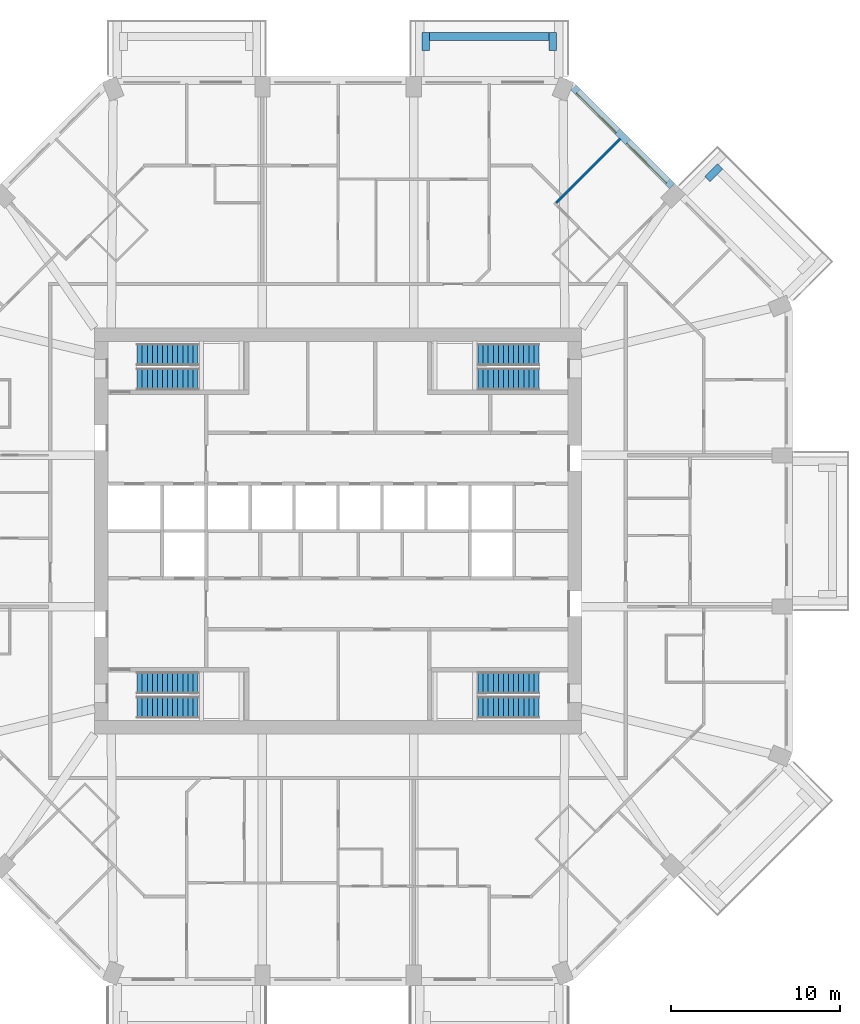
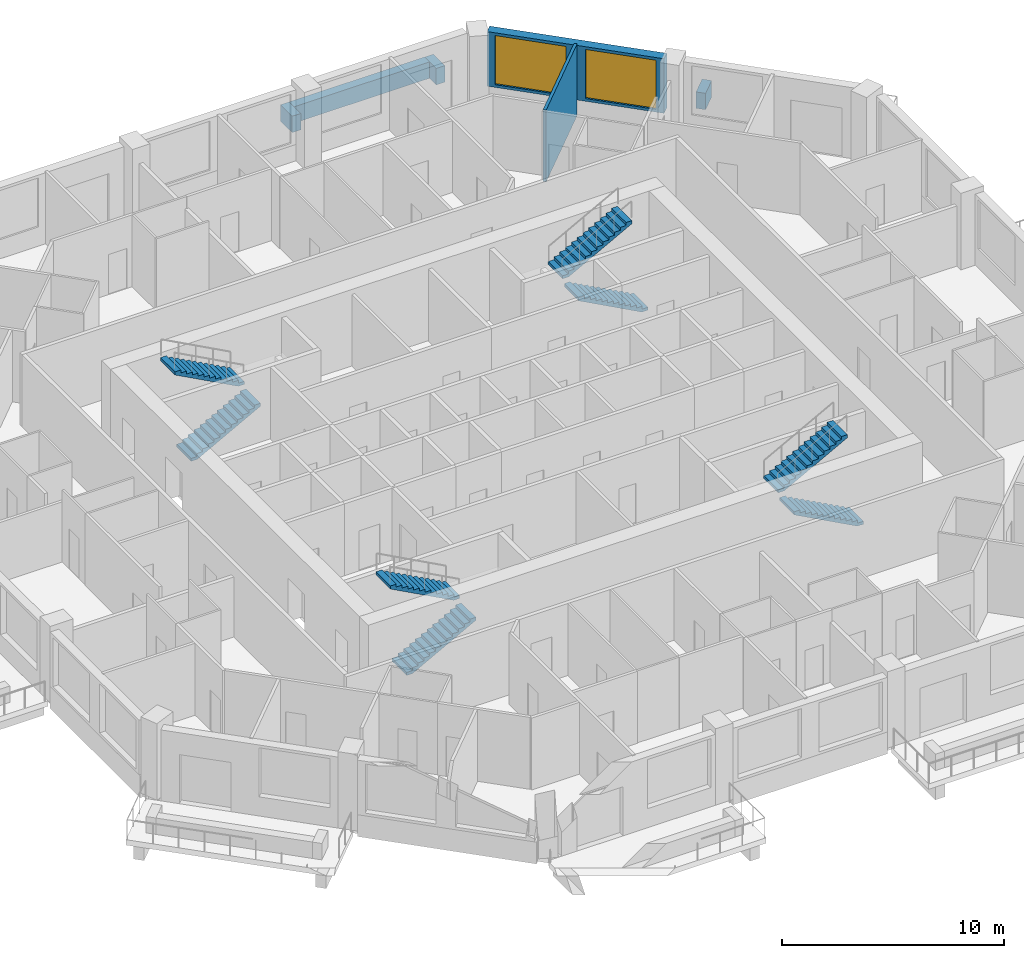
# One storey, part 11 of 13: 8 stair flights, 6 walls, 2 windows, 2 openings, 4 elements without a shape of their own.
"""IFC4 building model written with IfcOpenShell, lengths in metres."""

from ifc_helpers import new_model, si_unit, direction, frame, frame_2d, origin, place, context, subcontext, project, spatial, polyline, rectangle, outline, extrude, material, layer, layer_set, type_object, element, fill, aggregate, save


model = new_model("IFC4")

# Units and contexts
model_context = context("Model", 3, precision=1e-05, world=origin(), true_north=direction((0.0, 1.0)))
body_context = subcontext(model_context, "Body", "Model", "MODEL_VIEW")
ifc_project = project(units=[si_unit("LENGTHUNIT", "METRE"), si_unit("AREAUNIT", "SQUARE_METRE"), si_unit("VOLUMEUNIT", "CUBIC_METRE"), si_unit("PLANEANGLEUNIT", "RADIAN"), si_unit("MASSUNIT", "GRAM", prefix="KILO")], contexts=[model_context])

# Site, building, storey
site_placement = place(None, origin())
site = spatial("IfcSite", under=ifc_project, at=site_placement, CompositionType="ELEMENT")
building_placement = place(site_placement, origin())
building = spatial("IfcBuilding", under=site, at=building_placement, Name="Msitu Wima Residences", CompositionType="ELEMENT")
storey_placement = place(building_placement, frame((0.0, 0.0, 114.89990234375)))
storey = spatial("IfcBuildingStorey", under=building, at=storey_placement, Name="L26", CompositionType="ELEMENT", Elevation=114.89990234375)

# Walls
ifc_material_1 = material(Name="Facing brick")
ifc_layer_1 = layer(ifc_material_1, 0.06494140625, Name="Facing brick")
ifc_material_2 = material(Name="Concrete C40/50", Category="concrete")
ifc_layer_2 = layer(ifc_material_2, 0.156005859375, Name="Concrete C40/50")
ifc_material_3 = material(Name="Waterproofing membrane")
ifc_layer_3 = layer(ifc_material_3, 0.00390625, Name="Waterproofing membrane")
ifc_material_4 = material(Name="Planting soil and planting")
ifc_layer_4 = layer(ifc_material_4, 0.22509765625, Name="Planting soil and planting")
ifc_layer_set_1 = layer_set([ifc_layer_1, ifc_layer_2, ifc_layer_3, ifc_layer_4], Name="Concrete C40/50")
wall_type_1 = type_object("IfcWallType", Name="Balcony planter PLANTER PL450", PredefinedType="USERDEFINED", material=ifc_layer_set_1)
wall_1_placement = place(storey_placement, frame((21.829833984375, 20.804443359375, 0.0), z_axis=(0.0, 0.0, 1.0), x_axis=(0.707106781187, 0.707106781187, 0.0)))
element("IfcWall", 1, at=wall_1_placement, inside=storey, type_object=wall_type_1, Name="Balcony planter NE0 L26", ObjectType="PLANTER", PredefinedType="USERDEFINED", context=body_context, shape_type="SweptSolid", body=[
    extrude(rectangle(XDim=1.050048828125, YDim=0.449951171875, at=frame_2d((0.52490234375, 0.0))), origin(), (0.0, 0.0, 1.0), 0.900146484375),
])
wall_2_placement = place(storey_placement, frame((12.455810546875, 29.22509765625, 0.0), z_axis=(0.0, 0.0, 1.0), x_axis=(-1.0, 0.0, 0.0)))
element("IfcWall", 2, at=wall_2_placement, inside=storey, type_object=wall_type_1, Name="Balcony planter N0 L26", ObjectType="PLANTER", PredefinedType="USERDEFINED", context=body_context, shape_type="SweptSolid", body=[
    extrude(rectangle(XDim=7.037109375, YDim=0.449951171875, at=frame_2d((3.5185546875, 0.0))), origin(), (0.0, 0.0, 1.0), 0.900146484375),
])
for number, where, z_axis, x_axis, name in (
    (3, (12.680908203125, 28.39990234375, 0.0), (0.0, 0.0, 1.0), (0.0, 1.0, 0.0), "Balcony planter N0 L26"),
    (4, (5.193603515625, 28.39990234375, 0.0), (0.0, 0.0, 1.0), (0.0, 1.0, 0.0), "Balcony planter N0 L26"),
):
    element("IfcWall", number, at=place(storey_placement, frame(where, z_axis=z_axis, x_axis=x_axis)), inside=storey, type_object=wall_type_1, Name=name, ObjectType="PLANTER", PredefinedType="USERDEFINED", context=body_context, shape_type="SweptSolid", body=[
        extrude(rectangle(XDim=1.050048828125, YDim=0.449951171875, at=frame_2d((0.52490234375, 0.0))), origin(), (0.0, 0.0, 1.0), 0.900146484375),
    ])

# Wall, openings, windows
ifc_material_5 = material(Name="Brick (red buff mix)", Category="masonry")
ifc_layer_5 = layer(ifc_material_5, 0.449951171875)
ifc_layer_set_2 = layer_set([ifc_layer_5], Name="Brick (red buff mix)")
wall_type_2 = type_object("IfcWallType", Name="Brick infill wall BW450", PredefinedType="SOLIDWALL", material=ifc_layer_set_2)
wall_3_placement = place(storey_placement, frame((19.743896484375, 20.380126953125, 0.900146484375), z_axis=(0.0, 0.0, 1.0), x_axis=(-0.707106781187, 0.707106781187, 0.0)))
wall_3 = element("IfcWall", 5, at=wall_3_placement, inside=storey, type_object=wall_type_2, Name="Brick infill wall L26 NE1", PredefinedType="SOLIDWALL", context=body_context, shape_type="SweptSolid", body=[
    extrude(rectangle(XDim=8.251220703125, YDim=0.449951171875, at=frame_2d((4.12548828125, 0.0))), origin(), (0.0, 0.0, 1.0), 3.0),
])
opening_1_placement = place(wall_3_placement, frame((0.37548828125, 0.0, 0.14990234375)))
opening_1 = element("IfcOpeningElement", 6, at=opening_1_placement, cuts=wall_3, Name="Opening W25-26.011", PredefinedType="OPENING", context=body_context, shape_type="SweptSolid", body=[
    extrude(rectangle(XDim=3.300048828125, YDim=2.699951171875, at=frame_2d((1.64990234375, 1.35009765625))), frame((0.0, 0.23486328125, 0.0), z_axis=(0.0, -1.0, 0.0), x_axis=(1.0, 0.0, 0.0)), (0.0, 0.0, 1.0), 0.469970703125),
])
opening_2_placement = place(wall_3_placement, frame((4.57568359375, 0.0, 0.14990234375)))
opening_2 = element("IfcOpeningElement", 7, at=opening_2_placement, cuts=wall_3, Name="Opening W25-26.012", PredefinedType="OPENING", context=body_context, shape_type="SweptSolid", body=[
    extrude(rectangle(XDim=3.300048828125, YDim=2.699951171875, at=frame_2d((1.64990234375, 1.35009765625))), frame((0.0, 0.23486328125, 0.0), z_axis=(0.0, -1.0, 0.0), x_axis=(1.0, 0.0, 0.0)), (0.0, 0.0, 1.0), 0.469970703125),
])
ifc_material_6 = material(Name="Anodised aluminium, bronze finish, clear low-emissivity double glazing", Category="aluminium")
window_type = type_object("IfcWindowType", Name="Window W3300x2700", PartitioningType="DOUBLE_PANEL_VERTICAL", PredefinedType="WINDOW", material=ifc_material_6)
window_1_placement = place(opening_1_placement, origin())
window_1 = element("IfcWindow", 8, at=window_1_placement, inside=storey, type_object=window_type, Name="Window L26 NE1.1", OverallHeight=2.699951171875, OverallWidth=3.300048828125, PartitioningType="SINGLE_PANEL", PredefinedType="WINDOW", context=body_context, shape_type="SweptSolid", body=[
    extrude(rectangle(XDim=3.300048828125, YDim=2.699951171875, at=frame_2d((1.64990234375, 1.35009765625))), frame((0.0, 0.135009765625, 0.0), z_axis=(0.0, -1.0, 0.0), x_axis=(1.0, 0.0, 0.0)), (0.0, 0.0, 1.0), 0.06005859375),
])
fill(opening_1, window_1)
window_2_placement = place(opening_2_placement, origin())
window_2 = element("IfcWindow", 9, at=window_2_placement, inside=storey, type_object=window_type, Name="Window L26 NE1.2", OverallHeight=2.699951171875, OverallWidth=3.300048828125, PartitioningType="SINGLE_PANEL", PredefinedType="WINDOW", context=body_context, shape_type="SweptSolid", body=[
    extrude(rectangle(XDim=3.300048828125, YDim=2.699951171875, at=frame_2d((1.64990234375, 1.35009765625))), frame((0.0, 0.135009765625, 0.0), z_axis=(0.0, -1.0, 0.0), x_axis=(1.0, 0.0, 0.0)), (0.0, 0.0, 1.0), 0.06005859375),
])
fill(opening_2, window_2)

# Wall
ifc_material_7 = material(Name="Plaster")
ifc_layer_6 = layer(ifc_material_7, 0.011962890625, Name="Plaster")
ifc_material_8 = material(Name="Concrete blockwork", Category="masonry")
ifc_layer_7 = layer(ifc_material_8, 0.1259765625, Name="Concrete blockwork")
ifc_layer_8 = layer(ifc_material_7, 0.011962890625, Name="Plaster")
ifc_layer_set_3 = layer_set([ifc_layer_6, ifc_layer_7, ifc_layer_8], Name="Concrete blockwork")
wall_type_3 = type_object("IfcWallType", Name="Partition PW150", PredefinedType="PARTITIONING", material=ifc_layer_set_3)
wall_4_placement = place(storey_placement, frame((12.88916015625, 19.38623046875, 0.0), z_axis=(0.0, 0.0, 1.0), x_axis=(0.707106781187, 0.707106781187, 0.0)))
element("IfcWall", 10, at=wall_4_placement, inside=storey, type_object=wall_type_3, Name="Partition", PredefinedType="PARTITIONING", context=body_context, shape_type="SweptSolid", body=[
    extrude(rectangle(XDim=5.3798828125, YDim=0.14990234375, at=frame_2d((2.68994140625, 0.0))), origin(), (0.0, 0.0, 1.0), 3.9501953125),
])

# Stair, stair flights
stair_type = type_object("IfcStairType", Name="Exit stair ES1615-130", PredefinedType="HALF_TURN_STAIR", material=ifc_material_2)
stair_1_placement = place(storey_placement, origin())
stair_1 = element("IfcStair", 11, at=stair_1_placement, inside=storey, type_object=stair_type, Name="Exit stair 1", PredefinedType="HALF_TURN_STAIR")
stair_flight_type = type_object("IfcStairFlightType", Name="Exit stair flight ES1615-130", PredefinedType="STRAIGHT", material=ifc_material_2)
stair_flight_1_placement = place(storey_placement, frame((-11.875, 8.97509765625, 0.0), z_axis=(0.0, 0.0, 1.0), x_axis=(1.0, 0.0, 0.0)))
stair_flight_1 = element("IfcStairFlight", 12, at=stair_flight_1_placement, type_object=stair_flight_type, Name="S1 flight 1", NumberOfRisers=13, NumberOfTreads=12, PredefinedType="STRAIGHT", RiserHeight=0.161538462, TreadLength=0.3, context=body_context, shape_type="SweptSolid", body=[
    extrude(outline(polyline([(0.0, 0.0), (0.0, 0.16162109375), (0.300048828125, 0.16162109375), (0.300048828125, 0.322998046875), (0.60009765625, 0.322998046875), (0.60009765625, 0.484619140625), (0.89990234375, 0.484619140625), (0.89990234375, 0.646240234375), (1.199951171875, 0.646240234375), (1.199951171875, 0.8076171875), (1.5, 0.8076171875), (1.5, 0.96923828125), (1.800048828125, 0.96923828125), (1.800048828125, 1.130859375), (2.10009765625, 1.130859375), (2.10009765625, 1.292236328125), (2.39990234375, 1.292236328125), (2.39990234375, 1.453857421875), (2.699951171875, 1.453857421875), (2.699951171875, 1.615478515625), (3.0, 1.615478515625), (3.0, 1.77685546875), (3.300048828125, 1.77685546875), (3.300048828125, 1.9384765625), (3.60009765625, 1.9384765625), (3.60009765625, 2.10009765625), (3.60009765625, 1.768310546875), (0.316162109375, 0.0), (0.0, 0.0)])), frame((0.0, 0.64990234375, 0.0), z_axis=(0.0, -1.0, 0.0), x_axis=(1.0, 0.0, 0.0)), (0.0, 0.0, 1.0), 1.300048828125),
])
stair_flight_2_placement = place(storey_placement, frame((-8.27490234375, 10.425048828125, 2.10009765625), z_axis=(0.0, 0.0, 1.0), x_axis=(-1.0, 0.0, 0.0)))
stair_flight_2 = element("IfcStairFlight", 13, at=stair_flight_2_placement, type_object=stair_flight_type, Name="S1 flight 2", NumberOfRisers=13, NumberOfTreads=12, PredefinedType="STRAIGHT", RiserHeight=0.161538462, TreadLength=0.3, context=body_context, shape_type="SweptSolid", body=[
    extrude(outline(polyline([(0.0, 0.0), (0.0, 0.16162109375), (0.300048828125, 0.16162109375), (0.300048828125, 0.322998046875), (0.60009765625, 0.322998046875), (0.60009765625, 0.484619140625), (0.89990234375, 0.484619140625), (0.89990234375, 0.646240234375), (1.199951171875, 0.646240234375), (1.199951171875, 0.8076171875), (1.5, 0.8076171875), (1.5, 0.96923828125), (1.800048828125, 0.96923828125), (1.800048828125, 1.130859375), (2.10009765625, 1.130859375), (2.10009765625, 1.292236328125), (2.39990234375, 1.292236328125), (2.39990234375, 1.453857421875), (2.699951171875, 1.453857421875), (2.699951171875, 1.615478515625), (3.0, 1.615478515625), (3.0, 1.77685546875), (3.300048828125, 1.77685546875), (3.300048828125, 1.9384765625), (3.60009765625, 1.9384765625), (3.60009765625, 2.10009765625), (3.60009765625, 1.768310546875), (0.316162109375, 0.0), (0.0, 0.0)])), frame((0.0, 0.64990234375, 0.0), z_axis=(0.0, -1.0, 0.0), x_axis=(1.0, 0.0, 0.0)), (0.0, 0.0, 1.0), 1.300048828125),
])
aggregate(stair_1, [stair_flight_1, stair_flight_2])

stair_2_placement = place(storey_placement, origin())
stair_2 = element("IfcStair", 14, at=stair_2_placement, inside=storey, type_object=stair_type, Name="Exit stair 2", PredefinedType="HALF_TURN_STAIR")
stair_flight_3_placement = place(storey_placement, frame((-11.875, -10.425048828125, 0.0), z_axis=(0.0, 0.0, 1.0), x_axis=(1.0, 0.0, 0.0)))
stair_flight_3 = element("IfcStairFlight", 15, at=stair_flight_3_placement, type_object=stair_flight_type, Name="S2 flight 1", NumberOfRisers=13, NumberOfTreads=12, PredefinedType="STRAIGHT", RiserHeight=0.161538462, TreadLength=0.3, context=body_context, shape_type="SweptSolid", body=[
    extrude(outline(polyline([(0.0, 0.0), (0.0, 0.16162109375), (0.300048828125, 0.16162109375), (0.300048828125, 0.322998046875), (0.60009765625, 0.322998046875), (0.60009765625, 0.484619140625), (0.89990234375, 0.484619140625), (0.89990234375, 0.646240234375), (1.199951171875, 0.646240234375), (1.199951171875, 0.8076171875), (1.5, 0.8076171875), (1.5, 0.96923828125), (1.800048828125, 0.96923828125), (1.800048828125, 1.130859375), (2.10009765625, 1.130859375), (2.10009765625, 1.292236328125), (2.39990234375, 1.292236328125), (2.39990234375, 1.453857421875), (2.699951171875, 1.453857421875), (2.699951171875, 1.615478515625), (3.0, 1.615478515625), (3.0, 1.77685546875), (3.300048828125, 1.77685546875), (3.300048828125, 1.9384765625), (3.60009765625, 1.9384765625), (3.60009765625, 2.10009765625), (3.60009765625, 1.768310546875), (0.316162109375, 0.0), (0.0, 0.0)])), frame((0.0, 0.64990234375, 0.0), z_axis=(0.0, -1.0, 0.0), x_axis=(1.0, 0.0, 0.0)), (0.0, 0.0, 1.0), 1.300048828125),
])
stair_flight_4_placement = place(storey_placement, frame((-8.27490234375, -8.97509765625, 2.10009765625), z_axis=(0.0, 0.0, 1.0), x_axis=(-1.0, 0.0, 0.0)))
stair_flight_4 = element("IfcStairFlight", 16, at=stair_flight_4_placement, type_object=stair_flight_type, Name="S2 flight 2", NumberOfRisers=13, NumberOfTreads=12, PredefinedType="STRAIGHT", RiserHeight=0.161538462, TreadLength=0.3, context=body_context, shape_type="SweptSolid", body=[
    extrude(outline(polyline([(0.0, 0.0), (0.0, 0.16162109375), (0.300048828125, 0.16162109375), (0.300048828125, 0.322998046875), (0.60009765625, 0.322998046875), (0.60009765625, 0.484619140625), (0.89990234375, 0.484619140625), (0.89990234375, 0.646240234375), (1.199951171875, 0.646240234375), (1.199951171875, 0.8076171875), (1.5, 0.8076171875), (1.5, 0.96923828125), (1.800048828125, 0.96923828125), (1.800048828125, 1.130859375), (2.10009765625, 1.130859375), (2.10009765625, 1.292236328125), (2.39990234375, 1.292236328125), (2.39990234375, 1.453857421875), (2.699951171875, 1.453857421875), (2.699951171875, 1.615478515625), (3.0, 1.615478515625), (3.0, 1.77685546875), (3.300048828125, 1.77685546875), (3.300048828125, 1.9384765625), (3.60009765625, 1.9384765625), (3.60009765625, 2.10009765625), (3.60009765625, 1.768310546875), (0.316162109375, 0.0), (0.0, 0.0)])), frame((0.0, 0.64990234375, 0.0), z_axis=(0.0, -1.0, 0.0), x_axis=(1.0, 0.0, 0.0)), (0.0, 0.0, 1.0), 1.300048828125),
])
aggregate(stair_2, [stair_flight_3, stair_flight_4])

stair_3_placement = place(storey_placement, origin())
stair_3 = element("IfcStair", 17, at=stair_3_placement, inside=storey, type_object=stair_type, Name="Exit stair 3", PredefinedType="HALF_TURN_STAIR")
stair_flight_5_placement = place(storey_placement, frame((11.875, 8.97509765625, 0.0), z_axis=(0.0, 0.0, 1.0), x_axis=(-1.0, 0.0, 0.0)))
stair_flight_5 = element("IfcStairFlight", 18, at=stair_flight_5_placement, type_object=stair_flight_type, Name="S3 flight 1", NumberOfRisers=13, NumberOfTreads=12, PredefinedType="STRAIGHT", RiserHeight=0.161538462, TreadLength=0.3, context=body_context, shape_type="SweptSolid", body=[
    extrude(outline(polyline([(0.0, 0.0), (0.0, 0.16162109375), (0.300048828125, 0.16162109375), (0.300048828125, 0.322998046875), (0.60009765625, 0.322998046875), (0.60009765625, 0.484619140625), (0.89990234375, 0.484619140625), (0.89990234375, 0.646240234375), (1.199951171875, 0.646240234375), (1.199951171875, 0.8076171875), (1.5, 0.8076171875), (1.5, 0.96923828125), (1.800048828125, 0.96923828125), (1.800048828125, 1.130859375), (2.10009765625, 1.130859375), (2.10009765625, 1.292236328125), (2.39990234375, 1.292236328125), (2.39990234375, 1.453857421875), (2.699951171875, 1.453857421875), (2.699951171875, 1.615478515625), (3.0, 1.615478515625), (3.0, 1.77685546875), (3.300048828125, 1.77685546875), (3.300048828125, 1.9384765625), (3.60009765625, 1.9384765625), (3.60009765625, 2.10009765625), (3.60009765625, 1.768310546875), (0.316162109375, 0.0), (0.0, 0.0)])), frame((0.0, 0.64990234375, 0.0), z_axis=(0.0, -1.0, 0.0), x_axis=(1.0, 0.0, 0.0)), (0.0, 0.0, 1.0), 1.300048828125),
])
stair_flight_6_placement = place(storey_placement, frame((8.27490234375, 10.425048828125, 2.10009765625), z_axis=(0.0, 0.0, 1.0), x_axis=(1.0, 0.0, 0.0)))
stair_flight_6 = element("IfcStairFlight", 19, at=stair_flight_6_placement, type_object=stair_flight_type, Name="S3 flight 2", NumberOfRisers=13, NumberOfTreads=12, PredefinedType="STRAIGHT", RiserHeight=0.161538462, TreadLength=0.3, context=body_context, shape_type="SweptSolid", body=[
    extrude(outline(polyline([(0.0, 0.0), (0.0, 0.16162109375), (0.300048828125, 0.16162109375), (0.300048828125, 0.322998046875), (0.60009765625, 0.322998046875), (0.60009765625, 0.484619140625), (0.89990234375, 0.484619140625), (0.89990234375, 0.646240234375), (1.199951171875, 0.646240234375), (1.199951171875, 0.8076171875), (1.5, 0.8076171875), (1.5, 0.96923828125), (1.800048828125, 0.96923828125), (1.800048828125, 1.130859375), (2.10009765625, 1.130859375), (2.10009765625, 1.292236328125), (2.39990234375, 1.292236328125), (2.39990234375, 1.453857421875), (2.699951171875, 1.453857421875), (2.699951171875, 1.615478515625), (3.0, 1.615478515625), (3.0, 1.77685546875), (3.300048828125, 1.77685546875), (3.300048828125, 1.9384765625), (3.60009765625, 1.9384765625), (3.60009765625, 2.10009765625), (3.60009765625, 1.768310546875), (0.316162109375, 0.0), (0.0, 0.0)])), frame((0.0, 0.64990234375, 0.0), z_axis=(0.0, -1.0, 0.0), x_axis=(1.0, 0.0, 0.0)), (0.0, 0.0, 1.0), 1.300048828125),
])
aggregate(stair_3, [stair_flight_5, stair_flight_6])

stair_4_placement = place(storey_placement, origin())
stair_4 = element("IfcStair", 20, at=stair_4_placement, inside=storey, type_object=stair_type, Name="Exit stair 4", PredefinedType="HALF_TURN_STAIR")
stair_flight_7_placement = place(storey_placement, frame((11.875, -10.425048828125, 0.0), z_axis=(0.0, 0.0, 1.0), x_axis=(-1.0, 0.0, 0.0)))
stair_flight_7 = element("IfcStairFlight", 21, at=stair_flight_7_placement, type_object=stair_flight_type, Name="S4 flight 1", NumberOfRisers=13, NumberOfTreads=12, PredefinedType="STRAIGHT", RiserHeight=0.161538462, TreadLength=0.3, context=body_context, shape_type="SweptSolid", body=[
    extrude(outline(polyline([(0.0, 0.0), (0.0, 0.16162109375), (0.300048828125, 0.16162109375), (0.300048828125, 0.322998046875), (0.60009765625, 0.322998046875), (0.60009765625, 0.484619140625), (0.89990234375, 0.484619140625), (0.89990234375, 0.646240234375), (1.199951171875, 0.646240234375), (1.199951171875, 0.8076171875), (1.5, 0.8076171875), (1.5, 0.96923828125), (1.800048828125, 0.96923828125), (1.800048828125, 1.130859375), (2.10009765625, 1.130859375), (2.10009765625, 1.292236328125), (2.39990234375, 1.292236328125), (2.39990234375, 1.453857421875), (2.699951171875, 1.453857421875), (2.699951171875, 1.615478515625), (3.0, 1.615478515625), (3.0, 1.77685546875), (3.300048828125, 1.77685546875), (3.300048828125, 1.9384765625), (3.60009765625, 1.9384765625), (3.60009765625, 2.10009765625), (3.60009765625, 1.768310546875), (0.316162109375, 0.0), (0.0, 0.0)])), frame((0.0, 0.64990234375, 0.0), z_axis=(0.0, -1.0, 0.0), x_axis=(1.0, 0.0, 0.0)), (0.0, 0.0, 1.0), 1.300048828125),
])
stair_flight_8_placement = place(storey_placement, frame((8.27490234375, -8.97509765625, 2.10009765625), z_axis=(0.0, 0.0, 1.0), x_axis=(1.0, 0.0, 0.0)))
stair_flight_8 = element("IfcStairFlight", 22, at=stair_flight_8_placement, type_object=stair_flight_type, Name="S4 flight 2", NumberOfRisers=13, NumberOfTreads=12, PredefinedType="STRAIGHT", RiserHeight=0.161538462, TreadLength=0.3, context=body_context, shape_type="SweptSolid", body=[
    extrude(outline(polyline([(0.0, 0.0), (0.0, 0.16162109375), (0.300048828125, 0.16162109375), (0.300048828125, 0.322998046875), (0.60009765625, 0.322998046875), (0.60009765625, 0.484619140625), (0.89990234375, 0.484619140625), (0.89990234375, 0.646240234375), (1.199951171875, 0.646240234375), (1.199951171875, 0.8076171875), (1.5, 0.8076171875), (1.5, 0.96923828125), (1.800048828125, 0.96923828125), (1.800048828125, 1.130859375), (2.10009765625, 1.130859375), (2.10009765625, 1.292236328125), (2.39990234375, 1.292236328125), (2.39990234375, 1.453857421875), (2.699951171875, 1.453857421875), (2.699951171875, 1.615478515625), (3.0, 1.615478515625), (3.0, 1.77685546875), (3.300048828125, 1.77685546875), (3.300048828125, 1.9384765625), (3.60009765625, 1.9384765625), (3.60009765625, 2.10009765625), (3.60009765625, 1.768310546875), (0.316162109375, 0.0), (0.0, 0.0)])), frame((0.0, 0.64990234375, 0.0), z_axis=(0.0, -1.0, 0.0), x_axis=(1.0, 0.0, 0.0)), (0.0, 0.0, 1.0), 1.300048828125),
])
aggregate(stair_4, [stair_flight_7, stair_flight_8])

save(model, "model.ifc")
